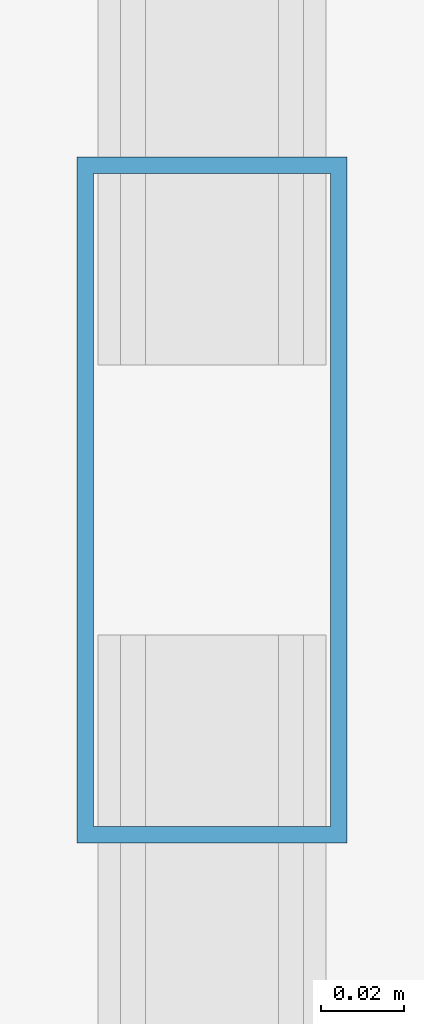
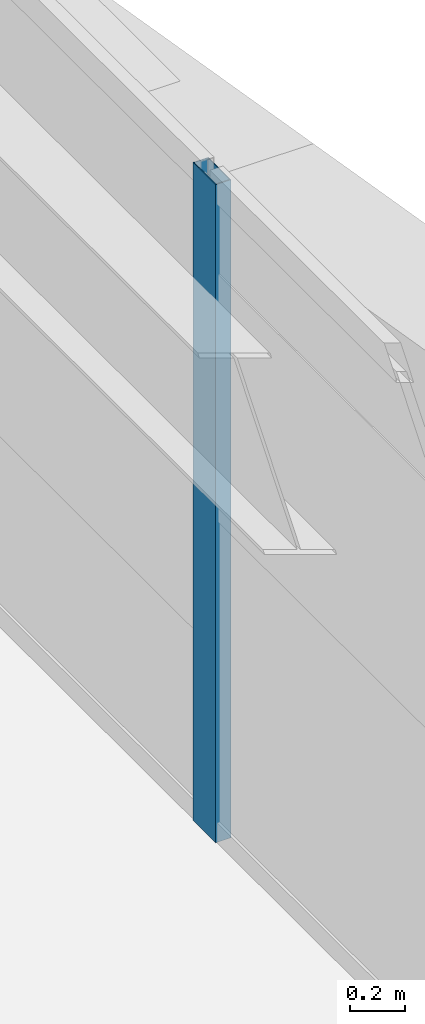
# One storey, part 26 of 59: 1 member, 1 element without a shape of its own.
"""IFC4 building model written with IfcOpenShell, lengths in metres."""

from ifc_helpers import new_model, si_unit, direction, frame, origin, origin_2d, place, context, subcontext, project, spatial, hollow_rectangle, extrude, source, transform, mapped, material, layer, layer_set, material_profile, profile_set, type_object, element, aggregate, save


model = new_model("IFC4")

# Units and contexts
model_context = context("Model", 3, precision=1e-05, world=origin(), true_north=direction((0.0, 1.0)))
body_context = subcontext(model_context, "Body", "Model", "MODEL_VIEW")
ifc_project = project(units=[si_unit("LENGTHUNIT", "METRE"), si_unit("AREAUNIT", "SQUARE_METRE"), si_unit("VOLUMEUNIT", "CUBIC_METRE"), si_unit("PLANEANGLEUNIT", "RADIAN"), si_unit("MASSUNIT", "GRAM", prefix="KILO")], contexts=[model_context])

# Site, building, storey
site_placement = place(None, origin())
site = spatial("IfcSite", under=ifc_project, at=site_placement, CompositionType="ELEMENT")
building_placement = place(site_placement, origin())
building = spatial("IfcBuilding", under=site, at=building_placement, Name="Taldren Reach Tower", CompositionType="ELEMENT")
storey_placement = place(building_placement, frame((0.0, 0.0, 45.14990234375)))
storey = spatial("IfcBuildingStorey", under=building, at=storey_placement, Name="L13", CompositionType="ELEMENT", Elevation=45.14990234375)

# Curtain wall, member
ifc_material_1 = material(Name="Aluminium and Low-E Glass Unitised System", Category="aluminium")
ifc_layer = layer(ifc_material_1, 0.159912109375)
ifc_layer_set = layer_set([ifc_layer], Name="Aluminium and Low-E Glass Unitised System")
curtain_wall_type = type_object("IfcCurtainWallType", Name="CW-SYS-2", PredefinedType="NOTDEFINED", material=ifc_layer_set)
curtain_wall_placement = place(storey_placement, origin())
curtain_wall = element("IfcCurtainWall", 1, at=curtain_wall_placement, inside=storey, type_object=curtain_wall_type, Name="Unitised curtain wall CW-L13-E", PredefinedType="NOTDEFINED")
ifc_material_2 = material(Name="Anodised Aluminium 6063-T6", Category="aluminium")
ifc_material_profile = material_profile(ifc_material_2, hollow_rectangle(XDim=0.06494140625, YDim=0.1650390625, WallThickness=0.00390625, at=origin_2d()), Name="ALU-165x65x4RHS")
ifc_profile_set = profile_set([ifc_material_profile], Name="Anodised Aluminium 6063-T6")
member_type = type_object("IfcMemberType", Name="CW-MUL-165", PredefinedType="MULLION", material=ifc_profile_set)
shared_shape = source(origin(), body_context, "Body", "SweptSolid", [
    extrude(hollow_rectangle(XDim=0.06494140625, YDim=0.1650390625, WallThickness=0.00390625, at=origin_2d()), origin(), (0.0, 0.0, 1.0), 2.93017578125),
])
member_placement = place(storey_placement, frame((64.860107421875, 11.388916015625, 0.0), z_axis=(0.0, 0.0, 1.0), x_axis=(-1.0, 0.0, 0.0)))
member = element("IfcMember", 2, at=member_placement, type_object=member_type, Name="CW-2 mullion 3", PredefinedType="MULLION", context=body_context, shape_type="MappedRepresentation", body=[
    mapped(shared_shape, transform((0.0, 0.0, 0.0), scale=1.0)),
])
aggregate(curtain_wall, [member])

save(model, "model.ifc")
